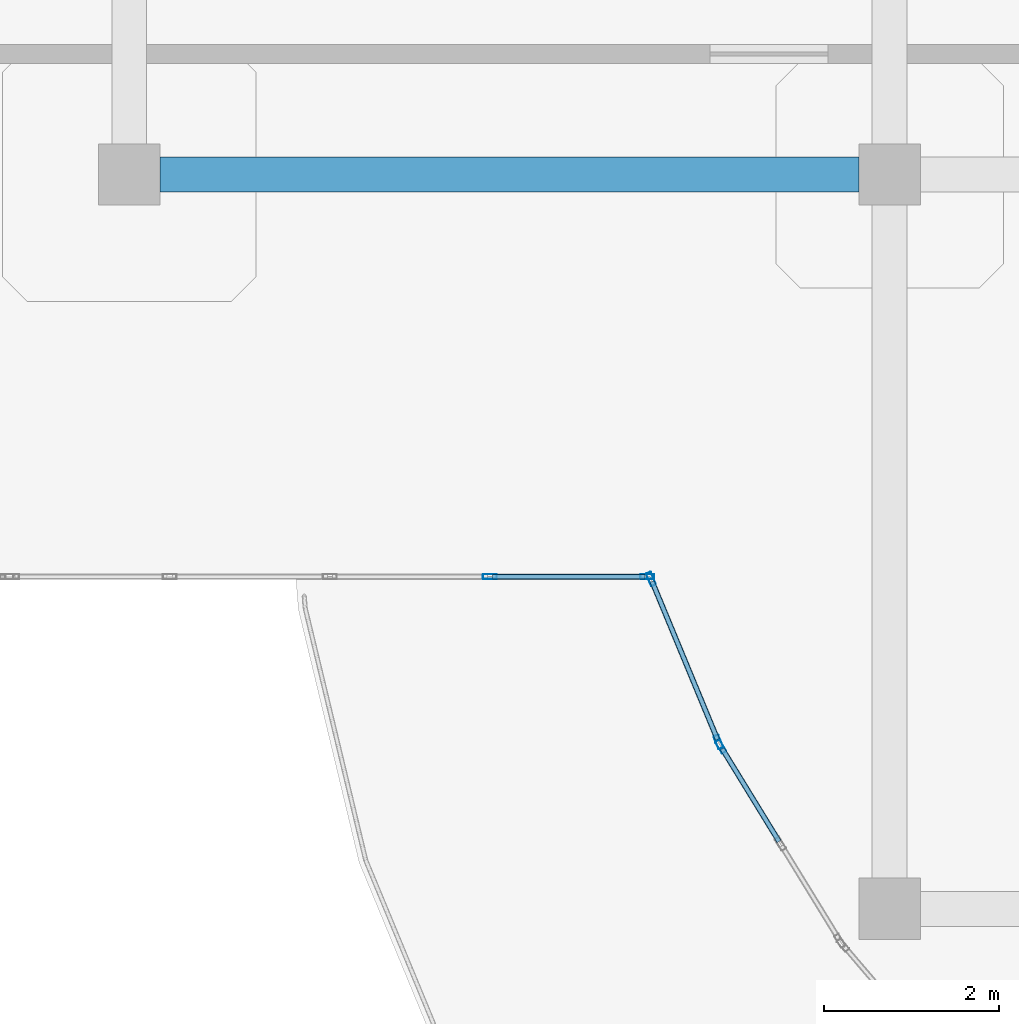
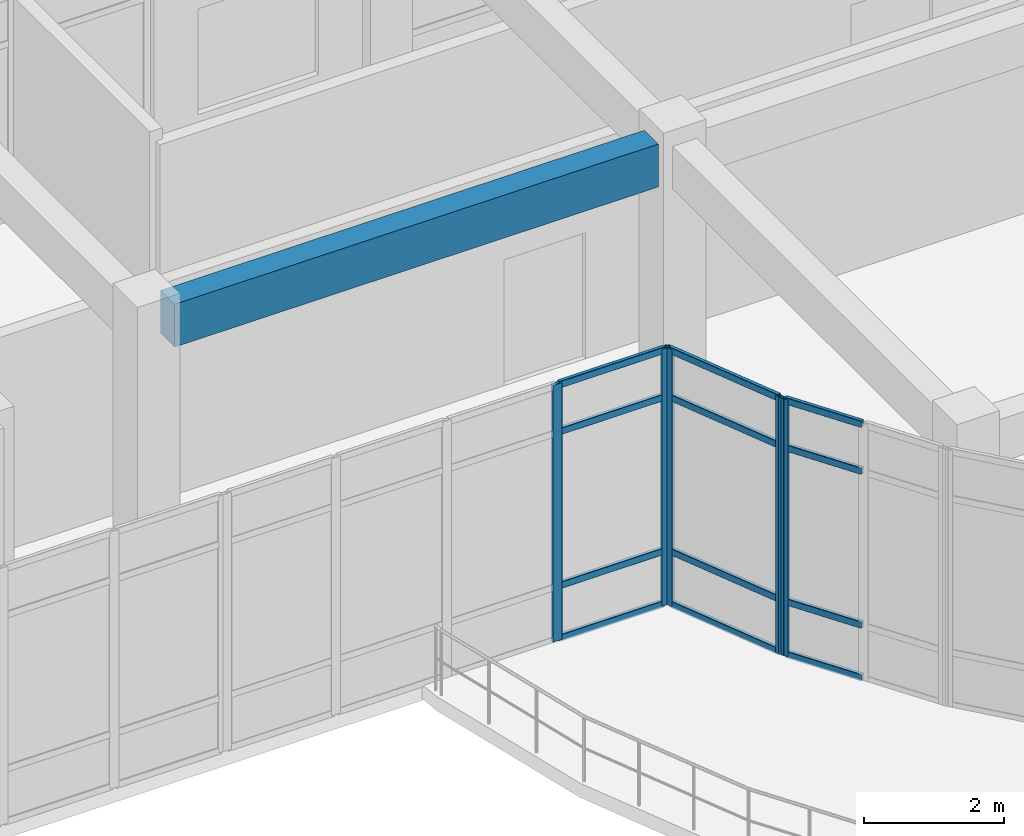
# One storey, part 3 of 64: 17 members, 1 beam, 3 elements without a shape of their own.
"""IFC4 building model written with IfcOpenShell, lengths in metres."""

from ifc_helpers import new_model, si_unit, derived_unit, direction, frame, origin, origin_2d, place, context, subcontext, project, spatial, rectangle, hollow_rectangle, extrude, material, layer, layer_set, material_profile, profile_set, type_object, element, aggregate, save


model = new_model("IFC4")

# Units and contexts
model_context = context("Model", 3, precision=1e-05, world=origin(), true_north=direction((0.0, 1.0)))
body_context = subcontext(model_context, "Body", "Model", "MODEL_VIEW")
ifc_project = project(units=[si_unit("LENGTHUNIT", "METRE"), si_unit("AREAUNIT", "SQUARE_METRE"), si_unit("VOLUMEUNIT", "CUBIC_METRE"), si_unit("PLANEANGLEUNIT", "RADIAN"), si_unit("MASSUNIT", "GRAM", prefix="KILO"), derived_unit("THERMALTRANSMITTANCEUNIT", [(si_unit("MASSUNIT", "GRAM", prefix="KILO"), 1), (si_unit("TIMEUNIT", "SECOND"), -3), (si_unit("THERMODYNAMICTEMPERATUREUNIT", "KELVIN"), -1)])], contexts=[model_context])

# Site, building, storey
site_placement = place(None, origin())
site = spatial("IfcSite", under=ifc_project, at=site_placement, CompositionType="ELEMENT")
building_placement = place(site_placement, origin())
building = spatial("IfcBuilding", under=site, at=building_placement, Name="Qinzheling Arcade Emporium", CompositionType="ELEMENT")
storey_placement = place(building_placement, frame((0.0, 0.0, 31.5)))
storey = spatial("IfcBuildingStorey", under=building, at=storey_placement, Name="L07", CompositionType="ELEMENT", Elevation=31.5)

# Curtain wall, member
ifc_material_1 = material(Name="Anodised aluminium and solar-control double glazing", Category="aluminium")
ifc_layer_1 = layer(ifc_material_1, 0.159912109375, Name="Anodised aluminium and solar-control double glazing", Category="aluminium")
ifc_layer_set_1 = layer_set([ifc_layer_1], Name="Anodised aluminium and solar-control double glazing")
curtain_wall_type_1 = type_object("IfcCurtainWallType", Name="Curved Ribbon Sales Curtain Wall", PredefinedType="NOTDEFINED", material=ifc_layer_set_1)
curtain_wall_1_placement = place(storey_placement, origin())
curtain_wall_1 = element("IfcCurtainWall", 1, at=curtain_wall_1_placement, inside=storey, type_object=curtain_wall_type_1, Name="Curtain Wall CW-L07-407", PredefinedType="NOTDEFINED")
ifc_material_2 = material(Name="Anodised aluminium 6063-T6", Category="aluminium")
ifc_material_profile_1 = material_profile(ifc_material_2, hollow_rectangle(XDim=0.06005859375, YDim=0.159912109375, WallThickness=0.00390625, InnerFilletRadius=0.00390625, OuterFilletRadius=0.008056640625, at=origin_2d()), Name="RHS 160x60x4", Category="aluminium")
ifc_profile_set_1 = profile_set([ifc_material_profile_1], Name="Anodised aluminium 6063-T6")
member_type_1 = type_object("IfcMemberType", Name="Curtain Wall Mullion RHS160x60", PredefinedType="MULLION", material=ifc_profile_set_1)
member_1_placement = place(storey_placement, frame((15.46875, 27.056396484375, 0.0), z_axis=(0.0, 0.0, 1.0), x_axis=(-0.852558142719, -0.522632388284, 0.0)))
member_1 = element("IfcMember", 2, at=member_1_placement, type_object=member_type_1, Name="CW02 mullion 3", PredefinedType="MULLION", context=body_context, shape_type="SweptSolid", body=[
    extrude(hollow_rectangle(XDim=0.06005859375, YDim=0.159912109375, WallThickness=0.00390625, InnerFilletRadius=0.00390625, OuterFilletRadius=0.008056640625, at=origin_2d()), origin(), (0.0, 0.0, 1.0), 4.489990234375),
])

# Curtain wall, members
curtain_wall_2_placement = place(storey_placement, origin())
curtain_wall_2 = element("IfcCurtainWall", 3, at=curtain_wall_2_placement, inside=storey, type_object=curtain_wall_type_1, Name="Curtain Wall CW-L07-408", PredefinedType="NOTDEFINED")
member_2_placement = place(storey_placement, frame((15.44140625, 27.109619140625, 0.0), z_axis=(0.0, 0.0, 1.0), x_axis=(-0.923958133622, -0.382493617351, 0.0)))
member_2 = element("IfcMember", 4, at=member_2_placement, type_object=member_type_1, Name="CW02 mullion 1", PredefinedType="MULLION", context=body_context, shape_type="SweptSolid", body=[
    extrude(hollow_rectangle(XDim=0.06005859375, YDim=0.159912109375, WallThickness=0.00390625, InnerFilletRadius=0.00390625, OuterFilletRadius=0.008056640625, at=origin_2d()), origin(), (0.0, 0.0, 1.0), 4.489990234375),
])
member_3_placement = place(storey_placement, frame((14.67041015625, 28.97216796875, 0.0), z_axis=(0.0, 0.0, 1.0), x_axis=(-0.923958133622, -0.382493617351, 0.0)))
member_3 = element("IfcMember", 5, at=member_3_placement, type_object=member_type_1, Name="CW02 mullion 2", PredefinedType="MULLION", context=body_context, shape_type="SweptSolid", body=[
    extrude(hollow_rectangle(XDim=0.06005859375, YDim=0.159912109375, WallThickness=0.00390625, InnerFilletRadius=0.00390625, OuterFilletRadius=0.008056640625, at=origin_2d()), origin(), (0.0, 0.0, 1.0), 4.489990234375),
])

ifc_layer_2 = layer(ifc_material_1, 0.159912109375, Name="Anodised aluminium and solar-control double glazing", Category="aluminium")
ifc_layer_set_2 = layer_set([ifc_layer_2], Name="Anodised aluminium and solar-control double glazing")
curtain_wall_type_2 = type_object("IfcCurtainWallType", Name="Arcade Portal Glazed Curtain Wall", PredefinedType="NOTDEFINED", material=ifc_layer_set_2)
curtain_wall_3_placement = place(storey_placement, origin())
curtain_wall_3 = element("IfcCurtainWall", 6, at=curtain_wall_3_placement, inside=storey, type_object=curtain_wall_type_2, Name="Curtain Wall CW-L07-409", PredefinedType="NOTDEFINED")
member_4_placement = place(storey_placement, frame((14.62890625, 29.0, 0.0), z_axis=(0.0, 0.0, 1.0), x_axis=(0.0, -1.0, 0.0)))
member_4 = element("IfcMember", 7, at=member_4_placement, type_object=member_type_1, Name="CW05 mullion 1", PredefinedType="MULLION", context=body_context, shape_type="SweptSolid", body=[
    extrude(hollow_rectangle(XDim=0.06005859375, YDim=0.159912109375, WallThickness=0.00390625, InnerFilletRadius=0.00390625, OuterFilletRadius=0.008056640625, at=origin_2d()), origin(), (0.0, 0.0, 1.0), 4.489990234375),
])
member_5_placement = place(storey_placement, frame((12.8271484375, 29.0, 0.0), z_axis=(0.0, 0.0, 1.0), x_axis=(0.0, -1.0, 0.0)))
member_5 = element("IfcMember", 8, at=member_5_placement, type_object=member_type_1, Name="CW05 mullion 2", PredefinedType="MULLION", context=body_context, shape_type="SweptSolid", body=[
    extrude(hollow_rectangle(XDim=0.06005859375, YDim=0.159912109375, WallThickness=0.00390625, InnerFilletRadius=0.00390625, OuterFilletRadius=0.008056640625, at=origin_2d()), origin(), (0.0, 0.0, 1.0), 4.489990234375),
])

# Member
ifc_material_profile_2 = material_profile(ifc_material_2, hollow_rectangle(XDim=0.06005859375, YDim=0.1201171875, WallThickness=0.00390625, InnerFilletRadius=0.00390625, OuterFilletRadius=0.008056640625, at=origin_2d()), Name="RHS 120x60x4", Category="aluminium")
ifc_profile_set_2 = profile_set([ifc_material_profile_2], Name="Anodised aluminium 6063-T6")
member_type_2 = type_object("IfcMemberType", Name="Curtain Wall Transom RHS120x60", PredefinedType="USERDEFINED", material=ifc_profile_set_2)
member_6_placement = place(storey_placement, frame((16.13427734375, 25.970458984375, 0.030029296875), z_axis=(-0.522585074764, 0.852587144891, 0.0), x_axis=(-0.852587144891, -0.522585074764, 0.0)))
member_6 = element("IfcMember", 9, at=member_6_placement, type_object=member_type_2, Name="CW02 transom 2.1", ObjectType="TRANSOM", PredefinedType="USERDEFINED", context=body_context, shape_type="SweptSolid", body=[
    extrude(hollow_rectangle(XDim=0.06005859375, YDim=0.1201171875, WallThickness=0.00390625, InnerFilletRadius=0.00390625, OuterFilletRadius=0.008056640625, at=origin_2d()), origin(), (0.0, 0.0, 1.0), 1.24365234375),
])

member_7_placement = place(storey_placement, frame((16.13427734375, 25.970458984375, 0.949951171875), z_axis=(-0.522585074764, 0.852587144891, 0.0), x_axis=(-0.852587144891, -0.522585074764, 0.0)))
member_7 = element("IfcMember", 10, at=member_7_placement, type_object=member_type_2, Name="CW02 transom 2.2", ObjectType="TRANSOM", PredefinedType="USERDEFINED", context=body_context, shape_type="SweptSolid", body=[
    extrude(hollow_rectangle(XDim=0.06005859375, YDim=0.1201171875, WallThickness=0.00390625, InnerFilletRadius=0.00390625, OuterFilletRadius=0.008056640625, at=origin_2d()), origin(), (0.0, 0.0, 1.0), 1.24365234375),
])

member_8_placement = place(storey_placement, frame((16.13427734375, 25.970458984375, 3.639892578125), z_axis=(-0.522585074764, 0.852587144891, 0.0), x_axis=(-0.852587144891, -0.522585074764, 0.0)))
member_8 = element("IfcMember", 11, at=member_8_placement, type_object=member_type_2, Name="CW02 transom 2.3", ObjectType="TRANSOM", PredefinedType="USERDEFINED", context=body_context, shape_type="SweptSolid", body=[
    extrude(hollow_rectangle(XDim=0.06005859375, YDim=0.1201171875, WallThickness=0.00390625, InnerFilletRadius=0.00390625, OuterFilletRadius=0.008056640625, at=origin_2d()), origin(), (0.0, 0.0, 1.0), 1.24365234375),
])

member_9_placement = place(storey_placement, frame((16.13427734375, 25.970458984375, 4.4599609375), z_axis=(-0.522585074764, 0.852587144891, 0.0), x_axis=(-0.852587144891, -0.522585074764, 0.0)))
member_9 = element("IfcMember", 12, at=member_9_placement, type_object=member_type_2, Name="CW02 transom 2.4", ObjectType="TRANSOM", PredefinedType="USERDEFINED", context=body_context, shape_type="SweptSolid", body=[
    extrude(hollow_rectangle(XDim=0.06005859375, YDim=0.1201171875, WallThickness=0.00390625, InnerFilletRadius=0.00390625, OuterFilletRadius=0.008056640625, at=origin_2d()), origin(), (0.0, 0.0, 1.0), 1.24365234375),
])

aggregate(curtain_wall_1, [member_1, member_6, member_7, member_8, member_9])

member_10_placement = place(storey_placement, frame((15.429931640625, 27.137451171875, 0.030029296875), z_axis=(-0.382469392974, 0.923968161485, 0.0), x_axis=(-0.923968161485, -0.382469392974, 0.0)))
member_10 = element("IfcMember", 13, at=member_10_placement, type_object=member_type_2, Name="CW02 transom 1.1", ObjectType="TRANSOM", PredefinedType="USERDEFINED", context=body_context, shape_type="SweptSolid", body=[
    extrude(hollow_rectangle(XDim=0.06005859375, YDim=0.1201171875, WallThickness=0.00390625, InnerFilletRadius=0.00390625, OuterFilletRadius=0.008056640625, at=origin_2d()), origin(), (0.0, 0.0, 1.0), 1.955810546875),
])

member_11_placement = place(storey_placement, frame((15.429931640625, 27.137451171875, 0.949951171875), z_axis=(-0.382469392974, 0.923968161485, 0.0), x_axis=(-0.923968161485, -0.382469392974, 0.0)))
member_11 = element("IfcMember", 14, at=member_11_placement, type_object=member_type_2, Name="CW02 transom 1.2", ObjectType="TRANSOM", PredefinedType="USERDEFINED", context=body_context, shape_type="SweptSolid", body=[
    extrude(hollow_rectangle(XDim=0.06005859375, YDim=0.1201171875, WallThickness=0.00390625, InnerFilletRadius=0.00390625, OuterFilletRadius=0.008056640625, at=origin_2d()), origin(), (0.0, 0.0, 1.0), 1.955810546875),
])

member_12_placement = place(storey_placement, frame((15.429931640625, 27.137451171875, 3.639892578125), z_axis=(-0.382469392974, 0.923968161485, 0.0), x_axis=(-0.923968161485, -0.382469392974, 0.0)))
member_12 = element("IfcMember", 15, at=member_12_placement, type_object=member_type_2, Name="CW02 transom 1.3", ObjectType="TRANSOM", PredefinedType="USERDEFINED", context=body_context, shape_type="SweptSolid", body=[
    extrude(hollow_rectangle(XDim=0.06005859375, YDim=0.1201171875, WallThickness=0.00390625, InnerFilletRadius=0.00390625, OuterFilletRadius=0.008056640625, at=origin_2d()), origin(), (0.0, 0.0, 1.0), 1.955810546875),
])

member_13_placement = place(storey_placement, frame((15.429931640625, 27.137451171875, 4.4599609375), z_axis=(-0.382469392974, 0.923968161485, 0.0), x_axis=(-0.923968161485, -0.382469392974, 0.0)))
member_13 = element("IfcMember", 16, at=member_13_placement, type_object=member_type_2, Name="CW02 transom 1.4", ObjectType="TRANSOM", PredefinedType="USERDEFINED", context=body_context, shape_type="SweptSolid", body=[
    extrude(hollow_rectangle(XDim=0.06005859375, YDim=0.1201171875, WallThickness=0.00390625, InnerFilletRadius=0.00390625, OuterFilletRadius=0.008056640625, at=origin_2d()), origin(), (0.0, 0.0, 1.0), 1.955810546875),
])

aggregate(curtain_wall_2, [member_2, member_3, member_10, member_11, member_12, member_13])

member_14_placement = place(storey_placement, frame((14.59912109375, 29.0, 0.030029296875), z_axis=(-1.0, 0.0, 0.0), x_axis=(0.0, -1.0, 0.0)))
member_14 = element("IfcMember", 17, at=member_14_placement, type_object=member_type_2, Name="CW05 transom 1.1", ObjectType="TRANSOM", PredefinedType="USERDEFINED", context=body_context, shape_type="SweptSolid", body=[
    extrude(hollow_rectangle(XDim=0.06005859375, YDim=0.1201171875, WallThickness=0.00390625, InnerFilletRadius=0.00390625, OuterFilletRadius=0.008056640625, at=origin_2d()), origin(), (0.0, 0.0, 1.0), 1.741943359375),
])

member_15_placement = place(storey_placement, frame((14.59912109375, 29.0, 0.949951171875), z_axis=(-1.0, 0.0, 0.0), x_axis=(0.0, -1.0, 0.0)))
member_15 = element("IfcMember", 18, at=member_15_placement, type_object=member_type_2, Name="CW05 transom 1.2", ObjectType="TRANSOM", PredefinedType="USERDEFINED", context=body_context, shape_type="SweptSolid", body=[
    extrude(hollow_rectangle(XDim=0.06005859375, YDim=0.1201171875, WallThickness=0.00390625, InnerFilletRadius=0.00390625, OuterFilletRadius=0.008056640625, at=origin_2d()), origin(), (0.0, 0.0, 1.0), 1.741943359375),
])

member_16_placement = place(storey_placement, frame((14.59912109375, 29.0, 3.639892578125), z_axis=(-1.0, 0.0, 0.0), x_axis=(0.0, -1.0, 0.0)))
member_16 = element("IfcMember", 19, at=member_16_placement, type_object=member_type_2, Name="CW05 transom 1.3", ObjectType="TRANSOM", PredefinedType="USERDEFINED", context=body_context, shape_type="SweptSolid", body=[
    extrude(hollow_rectangle(XDim=0.06005859375, YDim=0.1201171875, WallThickness=0.00390625, InnerFilletRadius=0.00390625, OuterFilletRadius=0.008056640625, at=origin_2d()), origin(), (0.0, 0.0, 1.0), 1.741943359375),
])

member_17_placement = place(storey_placement, frame((14.59912109375, 29.0, 4.4599609375), z_axis=(-1.0, 0.0, 0.0), x_axis=(0.0, -1.0, 0.0)))
member_17 = element("IfcMember", 20, at=member_17_placement, type_object=member_type_2, Name="CW05 transom 1.4", ObjectType="TRANSOM", PredefinedType="USERDEFINED", context=body_context, shape_type="SweptSolid", body=[
    extrude(hollow_rectangle(XDim=0.06005859375, YDim=0.1201171875, WallThickness=0.00390625, InnerFilletRadius=0.00390625, OuterFilletRadius=0.008056640625, at=origin_2d()), origin(), (0.0, 0.0, 1.0), 1.741943359375),
])

aggregate(curtain_wall_3, [member_4, member_5, member_14, member_15, member_16, member_17])

# Beam
ifc_material_3 = material(Name="Concrete C40", Category="concrete")
ifc_material_profile_3 = material_profile(ifc_material_3, rectangle(XDim=0.39990234375, YDim=0.75, at=origin_2d()), Name="RC 400x750", Category="concrete")
ifc_profile_set_3 = profile_set([ifc_material_profile_3], Name="Concrete C40")
beam_type = type_object("IfcBeamType", Name="RC Interior Tie Beam 400x750 C40", PredefinedType="BEAM", material=ifc_profile_set_3)
beam_placement = place(storey_placement, frame((9.050048828125, 33.60009765625, 4.14501953125), z_axis=(1.0, 0.0, 0.0), x_axis=(0.0, 1.0, 0.0)))
element("IfcBeam", 21, at=beam_placement, inside=storey, type_object=beam_type, Name="Beam BM-L07-X-E-2", PredefinedType="BEAM", context=body_context, shape_type="SweptSolid", body=[
    extrude(rectangle(XDim=0.39990234375, YDim=0.75, at=origin_2d()), origin(), (0.0, 0.0, 1.0), 8.0),
])

save(model, "model.ifc")
